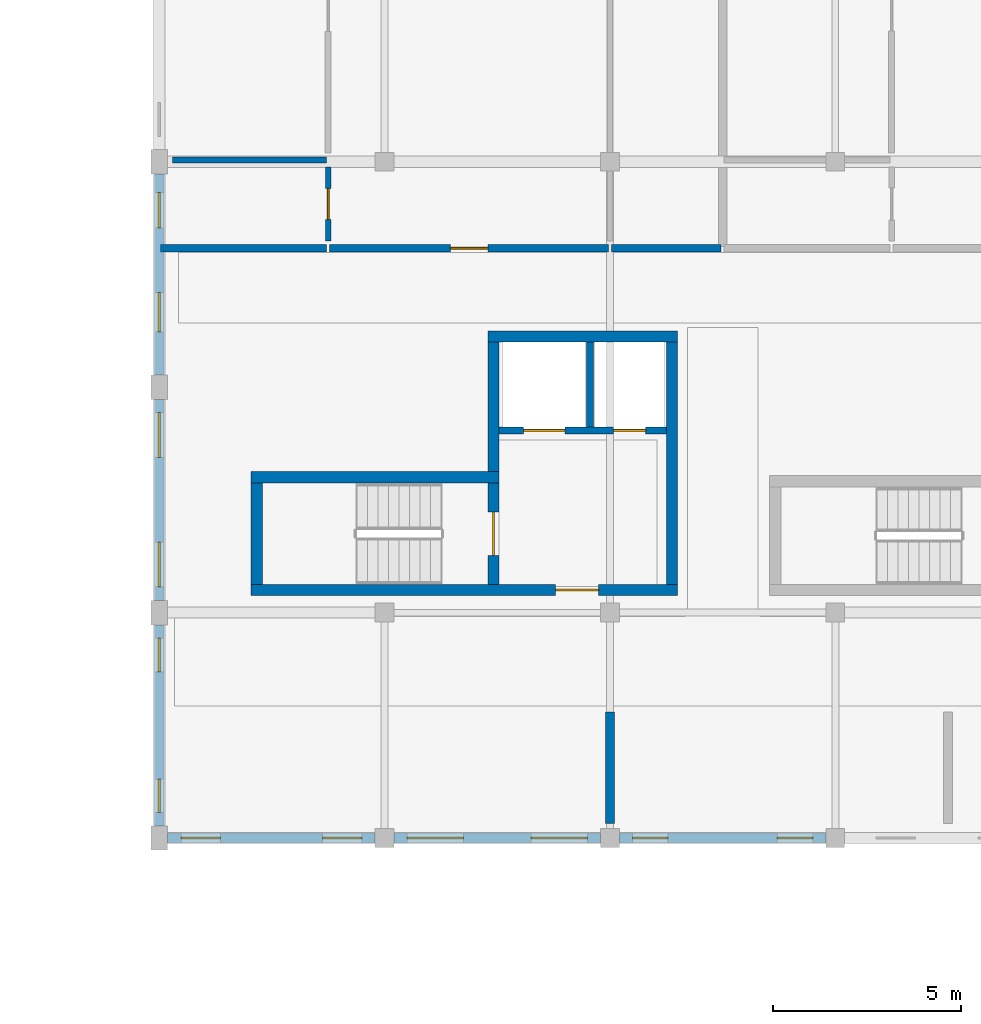
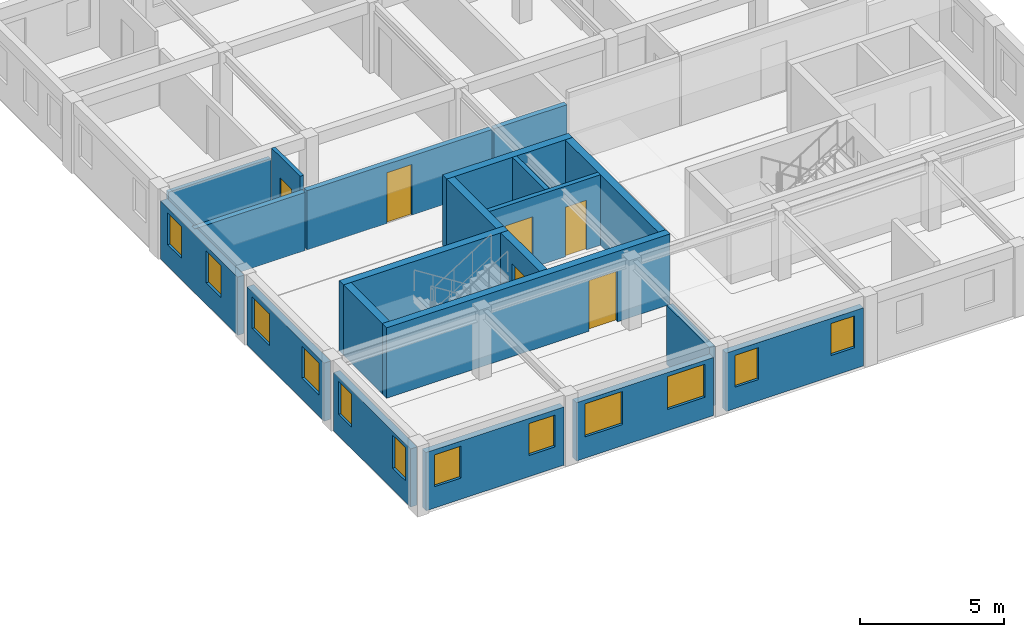
# One storey, part 9 of 17: 21 walls, 12 windows, 6 doors, 18 openings.
"""IFC4 building model written with IfcOpenShell, lengths in metres."""

from ifc_helpers import new_model, si_unit, direction, frame, frame_2d, origin, place, context, subcontext, project, spatial, rectangle, extrude, material, layer, layer_set, type_object, element, fill, save


model = new_model("IFC4")

# Units and contexts
model_context = context("Model", 3, precision=1e-05, world=origin(), true_north=direction((0.0, 1.0)))
body_context = subcontext(model_context, "Body", "Model", "MODEL_VIEW")
ifc_project = project(units=[si_unit("LENGTHUNIT", "METRE"), si_unit("AREAUNIT", "SQUARE_METRE"), si_unit("VOLUMEUNIT", "CUBIC_METRE"), si_unit("PLANEANGLEUNIT", "RADIAN"), si_unit("MASSUNIT", "GRAM", prefix="KILO"), si_unit("POWERUNIT", "WATT"), si_unit("THERMODYNAMICTEMPERATUREUNIT", "KELVIN")], contexts=[model_context])

# Site, building, storey
site_placement = place(None, origin())
site = spatial("IfcSite", under=ifc_project, at=site_placement, CompositionType="ELEMENT")
building_placement = place(site_placement, origin())
building = spatial("IfcBuilding", under=site, at=building_placement, Name="Ruvembo Vaulted Housing Court", CompositionType="ELEMENT")
storey_placement = place(building_placement, frame((0.0, 0.0, 30.10009765625)))
storey = spatial("IfcBuildingStorey", under=building, at=storey_placement, Name="L09", CompositionType="ELEMENT", Elevation=30.10009765625)

# Wall, opening, door
ifc_material_1 = material(Name="Concrete C35/45", Category="concrete")
ifc_layer_1 = layer(ifc_material_1, 0.300048828125, Name="Concrete C35/45")
ifc_layer_set_1 = layer_set([ifc_layer_1], Name="Concrete C35/45")
wall_type_1 = type_object("IfcWallType", Name="WL-CORE-300", PredefinedType="SHEAR", material=ifc_layer_set_1)
wall_1_placement = place(storey_placement, frame((50.449951171875, 90.60009765625, 0.0), z_axis=(0.0, 0.0, 1.0), x_axis=(1.0, 0.0, 0.0)))
wall_1 = element("IfcWall", 1, at=wall_1_placement, inside=storey, type_object=wall_type_1, Name="Core B1 L09 South Shear Wall", PredefinedType="SHEAR", context=body_context, shape_type="SweptSolid", body=[
    extrude(rectangle(XDim=11.35009765625, YDim=0.300048828125, at=frame_2d((5.675048828125, 0.0))), origin(), (0.0, 0.0, 1.0), 2.98486328125),
])
opening_1_placement = place(wall_1_placement, frame((8.10009765625, 0.0, 0.0)))
opening_1 = element("IfcOpeningElement", 2, at=opening_1_placement, cuts=wall_1, Name="Opening LD0", PredefinedType="OPENING", context=body_context, shape_type="SweptSolid", body=[
    extrude(rectangle(XDim=1.14990234375, YDim=2.14990234375, at=frame_2d((0.574951171875, 1.074951171875))), frame((0.0, 0.159912109375, 0.0), z_axis=(0.0, -1.0, 0.0), x_axis=(1.0, 0.0, 0.0)), (0.0, 0.0, 1.0), 0.320068359375),
])
ifc_material_2 = material(Name="Galvanised Painted Steel", Category="steel")
door_type_1 = type_object("IfcDoorType", Name="DR-LOB-1150x2150", OperationType="NOTDEFINED", PredefinedType="DOOR", material=ifc_material_2)
door_1_placement = place(opening_1_placement, origin())
door_1 = element("IfcDoor", 3, at=door_1_placement, inside=storey, type_object=door_type_1, Name="Core B1 L09 Lobby Fire Door", OperationType="SINGLE_SWING_LEFT", OverallHeight=2.14990234375, OverallWidth=1.14990234375, PredefinedType="DOOR", context=body_context, shape_type="SweptSolid", body=[
    extrude(rectangle(XDim=1.14990234375, YDim=2.14990234375, at=frame_2d((0.574951171875, 1.074951171875))), frame((0.0, 0.02490234375, 0.0), z_axis=(0.0, -1.0, 0.0), x_axis=(1.0, 0.0, 0.0)), (0.0, 0.0, 1.0), 0.050048828125),
])
fill(opening_1, door_1)

# Walls
wall_2_placement = place(storey_placement, frame((57.050048828125, 93.60009765625, 0.0), z_axis=(0.0, 0.0, 1.0), x_axis=(-1.0, 0.0, 0.0)))
element("IfcWall", 4, at=wall_2_placement, inside=storey, type_object=wall_type_1, Name="Core B1 L09 Stair North Shear Wall", PredefinedType="SHEAR", context=body_context, shape_type="SweptSolid", body=[
    extrude(rectangle(XDim=6.60009765625, YDim=0.300048828125, at=frame_2d((3.300048828125, 0.0))), origin(), (0.0, 0.0, 1.0), 2.98486328125),
])
wall_3_placement = place(storey_placement, frame((50.60009765625, 93.449951171875, 0.0), z_axis=(0.0, 0.0, 1.0), x_axis=(0.0, -1.0, 0.0)))
element("IfcWall", 5, at=wall_3_placement, inside=storey, type_object=wall_type_1, Name="Core B1 L09 Stair West Shear Wall", PredefinedType="SHEAR", context=body_context, shape_type="SweptSolid", body=[
    extrude(rectangle(XDim=2.699951171875, YDim=0.300048828125, at=frame_2d((1.35009765625, 0.0))), origin(), (0.0, 0.0, 1.0), 2.98486328125),
])

# Wall, opening, door
wall_4_placement = place(storey_placement, frame((56.89990234375, 90.75, 0.0), z_axis=(0.0, 0.0, 1.0), x_axis=(0.0, 1.0, 0.0)))
wall_4 = element("IfcWall", 6, at=wall_4_placement, inside=storey, type_object=wall_type_1, Name="Core B1 L09 Stair-Lobby Shear Wall", PredefinedType="SHEAR", context=body_context, shape_type="SweptSolid", body=[
    extrude(rectangle(XDim=2.699951171875, YDim=0.300048828125, at=frame_2d((1.35009765625, 0.0))), origin(), (0.0, 0.0, 1.0), 2.98486328125),
])
opening_2_placement = place(wall_4_placement, frame((0.77490234375, 0.0, 0.0)))
opening_2 = element("IfcOpeningElement", 7, at=opening_2_placement, cuts=wall_4, Name="Opening SD1", PredefinedType="OPENING", context=body_context, shape_type="SweptSolid", body=[
    extrude(rectangle(XDim=1.14990234375, YDim=2.14990234375, at=frame_2d((0.574951171875, 1.074951171875))), frame((0.0, 0.159912109375, 0.0), z_axis=(0.0, -1.0, 0.0), x_axis=(1.0, 0.0, 0.0)), (0.0, 0.0, 1.0), 0.320068359375),
])
door_type_2 = type_object("IfcDoorType", Name="DR-STAIR-1150x2150", OperationType="NOTDEFINED", PredefinedType="DOOR", material=ifc_material_2)
door_2_placement = place(opening_2_placement, origin())
door_2 = element("IfcDoor", 8, at=door_2_placement, inside=storey, type_object=door_type_2, Name="Stair ST-B1 L09 Fire Door", OperationType="SINGLE_SWING_RIGHT", OverallHeight=2.14990234375, OverallWidth=1.14990234375, PredefinedType="DOOR", context=body_context, shape_type="SweptSolid", body=[
    extrude(rectangle(XDim=1.14990234375, YDim=2.14990234375, at=frame_2d((0.574951171875, 1.074951171875))), frame((0.0, 0.02490234375, 0.0), z_axis=(0.0, -1.0, 0.0), x_axis=(1.0, 0.0, 0.0)), (0.0, 0.0, 1.0), 0.050048828125),
])
fill(opening_2, door_2)

# Walls
wall_5_placement = place(storey_placement, frame((61.800048828125, 97.35009765625, 0.0), z_axis=(0.0, 0.0, 1.0), x_axis=(-1.0, 0.0, 0.0)))
element("IfcWall", 9, at=wall_5_placement, inside=storey, type_object=wall_type_1, Name="Core B1 L09 North Shear Wall", PredefinedType="SHEAR", context=body_context, shape_type="SweptSolid", body=[
    extrude(rectangle(XDim=5.050048828125, YDim=0.300048828125, at=frame_2d((2.52490234375, 0.0))), origin(), (0.0, 0.0, 1.0), 2.98486328125),
])
wall_6_placement = place(storey_placement, frame((61.64990234375, 90.75, 0.0), z_axis=(0.0, 0.0, 1.0), x_axis=(0.0, 1.0, 0.0)))
element("IfcWall", 10, at=wall_6_placement, inside=storey, type_object=wall_type_1, Name="Core B1 L09 East Shear Wall", PredefinedType="SHEAR", context=body_context, shape_type="SweptSolid", body=[
    extrude(rectangle(XDim=6.449951171875, YDim=0.300048828125, at=frame_2d((3.22509765625, 0.0))), origin(), (0.0, 0.0, 1.0), 2.98486328125),
])
wall_7_placement = place(storey_placement, frame((56.89990234375, 93.75, 0.0), z_axis=(0.0, 0.0, 1.0), x_axis=(0.0, 1.0, 0.0)))
element("IfcWall", 11, at=wall_7_placement, inside=storey, type_object=wall_type_1, Name="Core B1 L09 Upper West Shear Wall", PredefinedType="SHEAR", context=body_context, shape_type="SweptSolid", body=[
    extrude(rectangle(XDim=3.449951171875, YDim=0.300048828125, at=frame_2d((1.72509765625, 0.0))), origin(), (0.0, 0.0, 1.0), 2.98486328125),
])
ifc_material_3 = material(Name="Concrete Blockwork 200", Category="masonry")
ifc_layer_2 = layer(ifc_material_3, 0.199951171875, Name="Concrete Blockwork 200")
ifc_layer_set_2 = layer_set([ifc_layer_2], Name="Concrete Blockwork 200")
wall_type_2 = type_object("IfcWallType", Name="WL-CORR-200", PredefinedType="SOLIDWALL", material=ifc_layer_set_2)
wall_8_placement = place(storey_placement, frame((48.0400390625, 99.699951171875, 0.0), z_axis=(0.0, 0.0, 1.0), x_axis=(1.0, 0.0, 0.0)))
element("IfcWall", 12, at=wall_8_placement, inside=storey, type_object=wall_type_2, Name="L09 Flat B-L09-N1 Corridor Wall WL-INT-L09-02181", PredefinedType="SOLIDWALL", context=body_context, shape_type="SweptSolid", body=[
    extrude(rectangle(XDim=4.419921875, YDim=0.199951171875, at=frame_2d((2.2099609375, 0.0))), origin(), (0.0, 0.0, 1.0), 2.466796875),
])

# Wall, opening, door
wall_9_placement = place(storey_placement, frame((52.5400390625, 99.699951171875, 0.0), z_axis=(0.0, 0.0, 1.0), x_axis=(1.0, 0.0, 0.0)))
wall_9 = element("IfcWall", 13, at=wall_9_placement, inside=storey, type_object=wall_type_2, Name="L09 Flat B-L09-N1 Entrance WL-INT-L09-02182", PredefinedType="SOLIDWALL", context=body_context, shape_type="SweptSolid", body=[
    extrude(rectangle(XDim=7.419921875, YDim=0.199951171875, at=frame_2d((3.7099609375, 0.0))), origin(), (0.0, 0.0, 1.0), 2.5078125),
])
opening_3_placement = place(wall_9_placement, frame((3.2099609375, 0.0, 0.0)))
opening_3 = element("IfcOpeningElement", 14, at=opening_3_placement, cuts=wall_9, Name="Opening FD1", PredefinedType="OPENING", context=body_context, shape_type="SweptSolid", body=[
    extrude(rectangle(XDim=1.0, YDim=2.14990234375, at=frame_2d((0.5, 1.074951171875))), frame((0.0, 0.10986328125, 0.0), z_axis=(0.0, -1.0, 0.0), x_axis=(1.0, 0.0, 0.0)), (0.0, 0.0, 1.0), 0.219970703125),
])
ifc_material_4 = material(Name="FSC Hardwood and Engineered Timber", Category="wood")
door_type_3 = type_object("IfcDoorType", Name="DR-FLAT-1000x2150", OperationType="NOTDEFINED", PredefinedType="DOOR", material=ifc_material_4)
door_3_placement = place(opening_3_placement, origin())
door_3 = element("IfcDoor", 15, at=door_3_placement, inside=storey, type_object=door_type_3, Name="L09 Flat B-L09-N1 Entrance Door DR-INT-L09-01212", OperationType="SINGLE_SWING_RIGHT", OverallHeight=2.14990234375, OverallWidth=1.0, PredefinedType="DOOR", context=body_context, shape_type="SweptSolid", body=[
    extrude(rectangle(XDim=1.0, YDim=2.14990234375, at=frame_2d((0.5, 1.074951171875))), frame((0.0, 0.02490234375, 0.0), z_axis=(0.0, -1.0, 0.0), x_axis=(1.0, 0.0, 0.0)), (0.0, 0.0, 1.0), 0.050048828125),
])
fill(opening_3, door_3)

# Walls
wall_10_placement = place(storey_placement, frame((60.0400390625, 99.699951171875, 0.0), z_axis=(0.0, 0.0, 1.0), x_axis=(1.0, 0.0, 0.0)))
element("IfcWall", 16, at=wall_10_placement, inside=storey, type_object=wall_type_2, Name="L09 Flat B-L09-N1 Corridor Wall 2 WL-INT-L09-02188", PredefinedType="SOLIDWALL", context=body_context, shape_type="SweptSolid", body=[
    extrude(rectangle(XDim=2.919921875, YDim=0.199951171875, at=frame_2d((1.4599609375, 0.0))), origin(), (0.0, 0.0, 1.0), 2.5078125),
])
ifc_material_5 = material(Name="Acoustic Masonry Demising 230", Category="masonry")
ifc_layer_3 = layer(ifc_material_5, 0.22998046875, Name="Acoustic Masonry Demising 230")
ifc_layer_set_3 = layer_set([ifc_layer_3], Name="Acoustic Masonry Demising 230")
wall_type_3 = type_object("IfcWallType", Name="WL-DEM-230", PredefinedType="SOLIDWALL", material=ifc_layer_set_3)
wall_11_placement = place(storey_placement, frame((60.0, 84.389892578125, 0.0), z_axis=(0.0, 0.0, 1.0), x_axis=(0.0, 1.0, 0.0)))
element("IfcWall", 17, at=wall_11_placement, inside=storey, type_object=wall_type_3, Name="L09 Demising B-L09-S1 WL-INT-L09-02178", PredefinedType="SOLIDWALL", context=body_context, shape_type="SweptSolid", body=[
    extrude(rectangle(XDim=2.97021484375, YDim=0.22998046875, at=frame_2d((1.485107421875, 0.0))), origin(), (0.0, 0.0, 1.0), 2.5078125),
])

# Wall, openings, windows
ifc_material_6 = material(Name="Rendered Masonry 260", Category="masonry")
ifc_layer_4 = layer(ifc_material_6, 0.260009765625, Name="Rendered Masonry 260")
ifc_layer_set_4 = layer_set([ifc_layer_4], Name="Rendered Masonry 260")
wall_type_4 = type_object("IfcWallType", Name="WL-EXT-260", PredefinedType="STANDARD", material=ifc_layer_set_4)
wall_12_placement = place(storey_placement, frame((48.22509765625, 84.0, 0.0), z_axis=(0.0, 0.0, 1.0), x_axis=(1.0, 0.0, 0.0)))
wall_12 = element("IfcWall", 18, at=wall_12_placement, inside=storey, type_object=wall_type_4, Name="Block B L09 Exterior Wall COURTYARD #1", PredefinedType="STANDARD", context=body_context, shape_type="SweptSolid", body=[
    extrude(rectangle(XDim=5.52490234375, YDim=0.260009765625, at=frame_2d((2.762451171875, 0.0))), origin(), (0.0, 0.0, 1.0), 2.466796875),
])
opening_4_placement = place(wall_12_placement, frame((0.35009765625, 0.0, 0.89990234375)))
opening_4 = element("IfcOpeningElement", 19, at=opening_4_placement, cuts=wall_12, Name="Opening W09", PredefinedType="OPENING", context=body_context, shape_type="SweptSolid", body=[
    extrude(rectangle(XDim=1.050048828125, YDim=1.35009765625, at=frame_2d((0.52490234375, 0.675048828125))), frame((0.0, 0.139892578125, 0.0), z_axis=(0.0, -1.0, 0.0), x_axis=(1.0, 0.0, 0.0)), (0.0, 0.0, 1.0), 0.280029296875),
])
opening_5_placement = place(wall_12_placement, frame((4.125, 0.0, 0.89990234375)))
opening_5 = element("IfcOpeningElement", 20, at=opening_5_placement, cuts=wall_12, Name="Opening W09", PredefinedType="OPENING", context=body_context, shape_type="SweptSolid", body=[
    extrude(rectangle(XDim=1.050048828125, YDim=1.35009765625, at=frame_2d((0.52490234375, 0.675048828125))), frame((0.0, 0.139892578125, 0.0), z_axis=(0.0, -1.0, 0.0), x_axis=(1.0, 0.0, 0.0)), (0.0, 0.0, 1.0), 0.280029296875),
])
ifc_material_7 = material(Name="Double Solar-Control Glazing in Aluminium Frame", Category="aluminium")
window_type_1 = type_object("IfcWindowType", Name="WIN-1050x1350", PartitioningType="SINGLE_PANEL", PredefinedType="WINDOW", material=ifc_material_7)
window_1_placement = place(opening_4_placement, origin())
window_1 = element("IfcWindow", 21, at=window_1_placement, inside=storey, type_object=window_type_1, Name="Block B L09 Window #987", OverallHeight=1.35009765625, OverallWidth=1.050048828125, PartitioningType="SINGLE_PANEL", PredefinedType="WINDOW", context=body_context, shape_type="SweptSolid", body=[
    extrude(rectangle(XDim=1.050048828125, YDim=1.35009765625, at=frame_2d((0.52490234375, 0.675048828125))), frame((0.0, 0.030029296875, 0.0), z_axis=(0.0, -1.0, 0.0), x_axis=(1.0, 0.0, 0.0)), (0.0, 0.0, 1.0), 0.06005859375),
])
fill(opening_4, window_1)
window_2_placement = place(opening_5_placement, origin())
window_2 = element("IfcWindow", 22, at=window_2_placement, inside=storey, type_object=window_type_1, Name="Block B L09 Window #988", OverallHeight=1.35009765625, OverallWidth=1.050048828125, PartitioningType="SINGLE_PANEL", PredefinedType="WINDOW", context=body_context, shape_type="SweptSolid", body=[
    extrude(rectangle(XDim=1.050048828125, YDim=1.35009765625, at=frame_2d((0.52490234375, 0.675048828125))), frame((0.0, 0.030029296875, 0.0), z_axis=(0.0, -1.0, 0.0), x_axis=(1.0, 0.0, 0.0)), (0.0, 0.0, 1.0), 0.06005859375),
])
fill(opening_5, window_2)

wall_13_placement = place(storey_placement, frame((54.25, 84.0, 0.0), z_axis=(0.0, 0.0, 1.0), x_axis=(1.0, 0.0, 0.0)))
wall_13 = element("IfcWall", 23, at=wall_13_placement, inside=storey, type_object=wall_type_4, Name="Block B L09 Exterior Wall COURTYARD #2", PredefinedType="STANDARD", context=body_context, shape_type="SweptSolid", body=[
    extrude(rectangle(XDim=5.5, YDim=0.260009765625, at=frame_2d((2.75, 0.0))), origin(), (0.0, 0.0, 1.0), 2.466796875),
])
opening_6_placement = place(wall_13_placement, frame((0.35009765625, 0.0, 0.89990234375)))
opening_6 = element("IfcOpeningElement", 24, at=opening_6_placement, cuts=wall_13, Name="Opening W18", PredefinedType="OPENING", context=body_context, shape_type="SweptSolid", body=[
    extrude(rectangle(XDim=1.5, YDim=1.39990234375, at=frame_2d((0.75, 0.699951171875))), frame((0.0, 0.139892578125, 0.0), z_axis=(0.0, -1.0, 0.0), x_axis=(1.0, 0.0, 0.0)), (0.0, 0.0, 1.0), 0.280029296875),
])
opening_7_placement = place(wall_13_placement, frame((3.64990234375, 0.0, 0.89990234375)))
opening_7 = element("IfcOpeningElement", 25, at=opening_7_placement, cuts=wall_13, Name="Opening W18", PredefinedType="OPENING", context=body_context, shape_type="SweptSolid", body=[
    extrude(rectangle(XDim=1.5, YDim=1.39990234375, at=frame_2d((0.75, 0.699951171875))), frame((0.0, 0.139892578125, 0.0), z_axis=(0.0, -1.0, 0.0), x_axis=(1.0, 0.0, 0.0)), (0.0, 0.0, 1.0), 0.280029296875),
])
window_type_2 = type_object("IfcWindowType", Name="WIN-1500x1400", PartitioningType="SINGLE_PANEL", PredefinedType="WINDOW", material=ifc_material_7)
window_3_placement = place(opening_6_placement, origin())
window_3 = element("IfcWindow", 26, at=window_3_placement, inside=storey, type_object=window_type_2, Name="Block B L09 Window #989", OverallHeight=1.39990234375, OverallWidth=1.5, PartitioningType="SINGLE_PANEL", PredefinedType="WINDOW", context=body_context, shape_type="SweptSolid", body=[
    extrude(rectangle(XDim=1.5, YDim=1.39990234375, at=frame_2d((0.75, 0.699951171875))), frame((0.0, 0.030029296875, 0.0), z_axis=(0.0, -1.0, 0.0), x_axis=(1.0, 0.0, 0.0)), (0.0, 0.0, 1.0), 0.06005859375),
])
fill(opening_6, window_3)
window_4_placement = place(opening_7_placement, origin())
window_4 = element("IfcWindow", 27, at=window_4_placement, inside=storey, type_object=window_type_2, Name="Block B L09 Window #990", OverallHeight=1.39990234375, OverallWidth=1.5, PartitioningType="SINGLE_PANEL", PredefinedType="WINDOW", context=body_context, shape_type="SweptSolid", body=[
    extrude(rectangle(XDim=1.5, YDim=1.39990234375, at=frame_2d((0.75, 0.699951171875))), frame((0.0, 0.030029296875, 0.0), z_axis=(0.0, -1.0, 0.0), x_axis=(1.0, 0.0, 0.0)), (0.0, 0.0, 1.0), 0.06005859375),
])
fill(opening_7, window_4)

wall_14_placement = place(storey_placement, frame((60.25, 84.0, 0.0), z_axis=(0.0, 0.0, 1.0), x_axis=(1.0, 0.0, 0.0)))
wall_14 = element("IfcWall", 28, at=wall_14_placement, inside=storey, type_object=wall_type_4, Name="Block B L09 Exterior Wall COURTYARD #3", PredefinedType="STANDARD", context=body_context, shape_type="SweptSolid", body=[
    extrude(rectangle(XDim=5.5, YDim=0.260009765625, at=frame_2d((2.75, 0.0))), origin(), (0.0, 0.0, 1.0), 2.466796875),
])
opening_8_placement = place(wall_14_placement, frame((0.35009765625, 0.0, 0.89990234375)))
opening_8 = element("IfcOpeningElement", 29, at=opening_8_placement, cuts=wall_14, Name="Opening W07", PredefinedType="OPENING", context=body_context, shape_type="SweptSolid", body=[
    extrude(rectangle(XDim=0.949951171875, YDim=1.35009765625, at=frame_2d((0.47509765625, 0.675048828125))), frame((0.0, 0.139892578125, 0.0), z_axis=(0.0, -1.0, 0.0), x_axis=(1.0, 0.0, 0.0)), (0.0, 0.0, 1.0), 0.280029296875),
])
opening_9_placement = place(wall_14_placement, frame((4.199951171875, 0.0, 0.89990234375)))
opening_9 = element("IfcOpeningElement", 30, at=opening_9_placement, cuts=wall_14, Name="Opening W07", PredefinedType="OPENING", context=body_context, shape_type="SweptSolid", body=[
    extrude(rectangle(XDim=0.949951171875, YDim=1.35009765625, at=frame_2d((0.47509765625, 0.675048828125))), frame((0.0, 0.139892578125, 0.0), z_axis=(0.0, -1.0, 0.0), x_axis=(1.0, 0.0, 0.0)), (0.0, 0.0, 1.0), 0.280029296875),
])
window_type_3 = type_object("IfcWindowType", Name="WIN-0950x1350", PartitioningType="SINGLE_PANEL", PredefinedType="WINDOW", material=ifc_material_7)
window_5_placement = place(opening_8_placement, origin())
window_5 = element("IfcWindow", 31, at=window_5_placement, inside=storey, type_object=window_type_3, Name="Block B L09 Window #991", OverallHeight=1.35009765625, OverallWidth=0.949951171875, PartitioningType="SINGLE_PANEL", PredefinedType="WINDOW", context=body_context, shape_type="SweptSolid", body=[
    extrude(rectangle(XDim=0.949951171875, YDim=1.35009765625, at=frame_2d((0.47509765625, 0.675048828125))), frame((0.0, 0.030029296875, 0.0), z_axis=(0.0, -1.0, 0.0), x_axis=(1.0, 0.0, 0.0)), (0.0, 0.0, 1.0), 0.06005859375),
])
fill(opening_8, window_5)
window_6_placement = place(opening_9_placement, origin())
window_6 = element("IfcWindow", 32, at=window_6_placement, inside=storey, type_object=window_type_3, Name="Block B L09 Window #992", OverallHeight=1.35009765625, OverallWidth=0.949951171875, PartitioningType="SINGLE_PANEL", PredefinedType="WINDOW", context=body_context, shape_type="SweptSolid", body=[
    extrude(rectangle(XDim=0.949951171875, YDim=1.35009765625, at=frame_2d((0.47509765625, 0.675048828125))), frame((0.0, 0.030029296875, 0.0), z_axis=(0.0, -1.0, 0.0), x_axis=(1.0, 0.0, 0.0)), (0.0, 0.0, 1.0), 0.06005859375),
])
fill(opening_9, window_6)

wall_15_placement = place(storey_placement, frame((48.0, 101.675048828125, 0.0), z_axis=(0.0, 0.0, 1.0), x_axis=(0.0, -1.0, 0.0)))
wall_15 = element("IfcWall", 33, at=wall_15_placement, inside=storey, type_object=wall_type_4, Name="Block B L09 Exterior Wall WEST #3", PredefinedType="STANDARD", context=body_context, shape_type="SweptSolid", body=[
    extrude(rectangle(XDim=5.35009765625, YDim=0.260009765625, at=frame_2d((2.675048828125, 0.0))), origin(), (0.0, 0.0, 1.0), 2.466796875),
])
opening_10_placement = place(wall_15_placement, frame((0.492431640625, 0.0, 0.89990234375)))
opening_10 = element("IfcOpeningElement", 34, at=opening_10_placement, cuts=wall_15, Name="Opening W07", PredefinedType="OPENING", context=body_context, shape_type="SweptSolid", body=[
    extrude(rectangle(XDim=0.949951171875, YDim=1.35009765625, at=frame_2d((0.47509765625, 0.675048828125))), frame((0.0, 0.139892578125, 0.0), z_axis=(0.0, -1.0, 0.0), x_axis=(1.0, 0.0, 0.0)), (0.0, 0.0, 1.0), 0.280029296875),
])
opening_11_placement = place(wall_15_placement, frame((3.157470703125, 0.0, 0.89990234375)))
opening_11 = element("IfcOpeningElement", 35, at=opening_11_placement, cuts=wall_15, Name="Opening W09", PredefinedType="OPENING", context=body_context, shape_type="SweptSolid", body=[
    extrude(rectangle(XDim=1.050048828125, YDim=1.35009765625, at=frame_2d((0.52490234375, 0.675048828125))), frame((0.0, 0.139892578125, 0.0), z_axis=(0.0, -1.0, 0.0), x_axis=(1.0, 0.0, 0.0)), (0.0, 0.0, 1.0), 0.280029296875),
])
window_7_placement = place(opening_10_placement, origin())
window_7 = element("IfcWindow", 36, at=window_7_placement, inside=storey, type_object=window_type_3, Name="Block B L09 Window #1022", OverallHeight=1.35009765625, OverallWidth=0.949951171875, PartitioningType="SINGLE_PANEL", PredefinedType="WINDOW", context=body_context, shape_type="SweptSolid", body=[
    extrude(rectangle(XDim=0.949951171875, YDim=1.35009765625, at=frame_2d((0.47509765625, 0.675048828125))), frame((0.0, 0.030029296875, 0.0), z_axis=(0.0, -1.0, 0.0), x_axis=(1.0, 0.0, 0.0)), (0.0, 0.0, 1.0), 0.06005859375),
])
fill(opening_10, window_7)
window_8_placement = place(opening_11_placement, origin())
window_8 = element("IfcWindow", 37, at=window_8_placement, inside=storey, type_object=window_type_1, Name="Block B L09 Window #1023", OverallHeight=1.35009765625, OverallWidth=1.050048828125, PartitioningType="SINGLE_PANEL", PredefinedType="WINDOW", context=body_context, shape_type="SweptSolid", body=[
    extrude(rectangle(XDim=1.050048828125, YDim=1.35009765625, at=frame_2d((0.52490234375, 0.675048828125))), frame((0.0, 0.030029296875, 0.0), z_axis=(0.0, -1.0, 0.0), x_axis=(1.0, 0.0, 0.0)), (0.0, 0.0, 1.0), 0.06005859375),
])
fill(opening_11, window_8)

wall_16_placement = place(storey_placement, frame((48.0, 95.675048828125, 0.0), z_axis=(0.0, 0.0, 1.0), x_axis=(0.0, -1.0, 0.0)))
wall_16 = element("IfcWall", 38, at=wall_16_placement, inside=storey, type_object=wall_type_4, Name="Block B L09 Exterior Wall WEST #4", PredefinedType="STANDARD", context=body_context, shape_type="SweptSolid", body=[
    extrude(rectangle(XDim=5.35009765625, YDim=0.260009765625, at=frame_2d((2.675048828125, 0.0))), origin(), (0.0, 0.0, 1.0), 2.466796875),
])
opening_12_placement = place(wall_16_placement, frame((0.35009765625, 0.0, 0.89990234375)))
opening_12 = element("IfcOpeningElement", 39, at=opening_12_placement, cuts=wall_16, Name="Opening W12", PredefinedType="OPENING", context=body_context, shape_type="SweptSolid", body=[
    extrude(rectangle(XDim=1.199951171875, YDim=1.35009765625, at=frame_2d((0.60009765625, 0.675048828125))), frame((0.0, 0.139892578125, 0.0), z_axis=(0.0, -1.0, 0.0), x_axis=(1.0, 0.0, 0.0)), (0.0, 0.0, 1.0), 0.280029296875),
])
opening_13_placement = place(wall_16_placement, frame((3.800048828125, 0.0, 0.89990234375)))
opening_13 = element("IfcOpeningElement", 40, at=opening_13_placement, cuts=wall_16, Name="Opening W12", PredefinedType="OPENING", context=body_context, shape_type="SweptSolid", body=[
    extrude(rectangle(XDim=1.199951171875, YDim=1.35009765625, at=frame_2d((0.60009765625, 0.675048828125))), frame((0.0, 0.139892578125, 0.0), z_axis=(0.0, -1.0, 0.0), x_axis=(1.0, 0.0, 0.0)), (0.0, 0.0, 1.0), 0.280029296875),
])
window_type_4 = type_object("IfcWindowType", Name="WIN-1200x1350", PartitioningType="SINGLE_PANEL", PredefinedType="WINDOW", material=ifc_material_7)
window_9_placement = place(opening_12_placement, origin())
window_9 = element("IfcWindow", 41, at=window_9_placement, inside=storey, type_object=window_type_4, Name="Block B L09 Window #1024", OverallHeight=1.35009765625, OverallWidth=1.199951171875, PartitioningType="SINGLE_PANEL", PredefinedType="WINDOW", context=body_context, shape_type="SweptSolid", body=[
    extrude(rectangle(XDim=1.199951171875, YDim=1.35009765625, at=frame_2d((0.60009765625, 0.675048828125))), frame((0.0, 0.030029296875, 0.0), z_axis=(0.0, -1.0, 0.0), x_axis=(1.0, 0.0, 0.0)), (0.0, 0.0, 1.0), 0.06005859375),
])
fill(opening_12, window_9)
window_10_placement = place(opening_13_placement, origin())
window_10 = element("IfcWindow", 42, at=window_10_placement, inside=storey, type_object=window_type_4, Name="Block B L09 Window #1025", OverallHeight=1.35009765625, OverallWidth=1.199951171875, PartitioningType="SINGLE_PANEL", PredefinedType="WINDOW", context=body_context, shape_type="SweptSolid", body=[
    extrude(rectangle(XDim=1.199951171875, YDim=1.35009765625, at=frame_2d((0.60009765625, 0.675048828125))), frame((0.0, 0.030029296875, 0.0), z_axis=(0.0, -1.0, 0.0), x_axis=(1.0, 0.0, 0.0)), (0.0, 0.0, 1.0), 0.06005859375),
])
fill(opening_13, window_10)

wall_17_placement = place(storey_placement, frame((48.0, 89.675048828125, 0.0), z_axis=(0.0, 0.0, 1.0), x_axis=(0.0, -1.0, 0.0)))
wall_17 = element("IfcWall", 43, at=wall_17_placement, inside=storey, type_object=wall_type_4, Name="Block B L09 Exterior Wall WEST #5", PredefinedType="STANDARD", context=body_context, shape_type="SweptSolid", body=[
    extrude(rectangle(XDim=5.35009765625, YDim=0.260009765625, at=frame_2d((2.675048828125, 0.0))), origin(), (0.0, 0.0, 1.0), 2.466796875),
])
opening_14_placement = place(wall_17_placement, frame((0.35009765625, 0.0, 0.89990234375)))
opening_14 = element("IfcOpeningElement", 44, at=opening_14_placement, cuts=wall_17, Name="Opening W05", PredefinedType="OPENING", context=body_context, shape_type="SweptSolid", body=[
    extrude(rectangle(XDim=0.89990234375, YDim=1.39990234375, at=frame_2d((0.449951171875, 0.699951171875))), frame((0.0, 0.139892578125, 0.0), z_axis=(0.0, -1.0, 0.0), x_axis=(1.0, 0.0, 0.0)), (0.0, 0.0, 1.0), 0.280029296875),
])
opening_15_placement = place(wall_17_placement, frame((4.10009765625, 0.0, 0.89990234375)))
opening_15 = element("IfcOpeningElement", 45, at=opening_15_placement, cuts=wall_17, Name="Opening W05", PredefinedType="OPENING", context=body_context, shape_type="SweptSolid", body=[
    extrude(rectangle(XDim=0.89990234375, YDim=1.39990234375, at=frame_2d((0.449951171875, 0.699951171875))), frame((0.0, 0.139892578125, 0.0), z_axis=(0.0, -1.0, 0.0), x_axis=(1.0, 0.0, 0.0)), (0.0, 0.0, 1.0), 0.280029296875),
])
window_type_5 = type_object("IfcWindowType", Name="WIN-0900x1400", PartitioningType="SINGLE_PANEL", PredefinedType="WINDOW", material=ifc_material_7)
window_11_placement = place(opening_14_placement, origin())
window_11 = element("IfcWindow", 46, at=window_11_placement, inside=storey, type_object=window_type_5, Name="Block B L09 Window #1026", OverallHeight=1.39990234375, OverallWidth=0.89990234375, PartitioningType="SINGLE_PANEL", PredefinedType="WINDOW", context=body_context, shape_type="SweptSolid", body=[
    extrude(rectangle(XDim=0.89990234375, YDim=1.39990234375, at=frame_2d((0.449951171875, 0.699951171875))), frame((0.0, 0.030029296875, 0.0), z_axis=(0.0, -1.0, 0.0), x_axis=(1.0, 0.0, 0.0)), (0.0, 0.0, 1.0), 0.06005859375),
])
fill(opening_14, window_11)
window_12_placement = place(opening_15_placement, origin())
window_12 = element("IfcWindow", 47, at=window_12_placement, inside=storey, type_object=window_type_5, Name="Block B L09 Window #1027", OverallHeight=1.39990234375, OverallWidth=0.89990234375, PartitioningType="SINGLE_PANEL", PredefinedType="WINDOW", context=body_context, shape_type="SweptSolid", body=[
    extrude(rectangle(XDim=0.89990234375, YDim=1.39990234375, at=frame_2d((0.449951171875, 0.699951171875))), frame((0.0, 0.030029296875, 0.0), z_axis=(0.0, -1.0, 0.0), x_axis=(1.0, 0.0, 0.0)), (0.0, 0.0, 1.0), 0.06005859375),
])
fill(opening_15, window_12)

# Wall, opening, door
ifc_material_8 = material(Name="Moisture-Resistant Wet Partition 150", Category="gypsum")
ifc_layer_5 = layer(ifc_material_8, 0.14990234375, Name="Moisture-Resistant Wet Partition 150")
ifc_layer_set_5 = layer_set([ifc_layer_5], Name="Moisture-Resistant Wet Partition 150")
wall_type_5 = type_object("IfcWallType", Name="WL-PART-150", PredefinedType="PARTITIONING", material=ifc_layer_set_5)
wall_18_placement = place(storey_placement, frame((52.5, 99.889892578125, 0.0), z_axis=(0.0, 0.0, 1.0), x_axis=(0.0, 1.0, 0.0)))
wall_18 = element("IfcWall", 48, at=wall_18_placement, inside=storey, type_object=wall_type_5, Name="L09 Flat B-L09-N1 Bathroom WL-INT-L09-02185", PredefinedType="PARTITIONING", context=body_context, shape_type="SweptSolid", body=[
    extrude(rectangle(XDim=1.97021484375, YDim=0.14990234375, at=frame_2d((0.985107421875, 0.0))), origin(), (0.0, 0.0, 1.0), 2.98486328125),
])
opening_16_placement = place(wall_18_placement, frame((0.574951171875, 0.0, 0.0)))
opening_16 = element("IfcOpeningElement", 49, at=opening_16_placement, cuts=wall_18, Name="Opening ID4", PredefinedType="OPENING", context=body_context, shape_type="SweptSolid", body=[
    extrude(rectangle(XDim=0.820068359375, YDim=2.080078125, at=frame_2d((0.41015625, 1.0400390625))), frame((0.0, 0.0849609375, 0.0), z_axis=(0.0, -1.0, 0.0), x_axis=(1.0, 0.0, 0.0)), (0.0, 0.0, 1.0), 0.169921875),
])
door_type_4 = type_object("IfcDoorType", Name="DR-WET-0820x2080", OperationType="NOTDEFINED", PredefinedType="DOOR", material=ifc_material_4)
door_4_placement = place(opening_16_placement, origin())
door_4 = element("IfcDoor", 50, at=door_4_placement, inside=storey, type_object=door_type_4, Name="L09 Flat B-L09-N1 Bathroom Door DR-INT-L09-01215", OperationType="SINGLE_SWING_LEFT", OverallHeight=2.080078125, OverallWidth=0.820068359375, PredefinedType="DOOR", context=body_context, shape_type="SweptSolid", body=[
    extrude(rectangle(XDim=0.820068359375, YDim=2.080078125, at=frame_2d((0.41015625, 1.0400390625))), frame((0.0, 0.02490234375, 0.0), z_axis=(0.0, -1.0, 0.0), x_axis=(1.0, 0.0, 0.0)), (0.0, 0.0, 1.0), 0.050048828125),
])
fill(opening_16, door_4)

# Wall
wall_19_placement = place(storey_placement, frame((48.360107421875, 102.050048828125, 0.0), z_axis=(0.0, 0.0, 1.0), x_axis=(1.0, 0.0, 0.0)))
element("IfcWall", 51, at=wall_19_placement, inside=storey, type_object=wall_type_5, Name="L09 Flat B-L09-N1 Wet Wall 2 WL-INT-L09-02187", PredefinedType="PARTITIONING", context=body_context, shape_type="SweptSolid", body=[
    extrude(rectangle(XDim=4.099853515625, YDim=0.14990234375, at=frame_2d((2.0498046875, 0.0))), origin(), (0.0, 0.0, 1.0), 2.466796875),
])

# Wall, openings, doors
ifc_material_9 = material(Name="Fire-Rated Masonry Shaft 180", Category="masonry")
ifc_layer_6 = layer(ifc_material_9, 0.179931640625, Name="Fire-Rated Masonry Shaft 180")
ifc_layer_set_6 = layer_set([ifc_layer_6], Name="Fire-Rated Masonry Shaft 180")
wall_type_6 = type_object("IfcWallType", Name="WL-SHAFT-180", PredefinedType="SOLIDWALL", material=ifc_layer_set_6)
wall_20_placement = place(storey_placement, frame((57.050048828125, 94.85009765625, 0.0), z_axis=(0.0, 0.0, 1.0), x_axis=(1.0, 0.0, 0.0)))
wall_20 = element("IfcWall", 52, at=wall_20_placement, inside=storey, type_object=wall_type_6, Name="Core B1 L09 Lift and Riser Front Wall", PredefinedType="SOLIDWALL", context=body_context, shape_type="SweptSolid", body=[
    extrude(rectangle(XDim=4.449951171875, YDim=0.179931640625, at=frame_2d((2.22509765625, 0.0))), origin(), (0.0, 0.0, 1.0), 2.98486328125),
])
opening_17_placement = place(wall_20_placement, frame((0.64990234375, 0.0, 0.0)))
opening_17 = element("IfcOpeningElement", 53, at=opening_17_placement, cuts=wall_20, Name="Opening LD-LP-B1-L09", PredefinedType="OPENING", context=body_context, shape_type="SweptSolid", body=[
    extrude(rectangle(XDim=1.10009765625, YDim=2.14990234375, at=frame_2d((0.550048828125, 1.074951171875))), frame((0.0, 0.099853515625, 0.0), z_axis=(0.0, -1.0, 0.0), x_axis=(1.0, 0.0, 0.0)), (0.0, 0.0, 1.0), 0.199951171875),
])
opening_18_placement = place(wall_20_placement, frame((3.050048828125, 0.0, 0.0)))
opening_18 = element("IfcOpeningElement", 54, at=opening_18_placement, cuts=wall_20, Name="Opening RD1", PredefinedType="OPENING", context=body_context, shape_type="SweptSolid", body=[
    extrude(rectangle(XDim=0.85009765625, YDim=2.10009765625, at=frame_2d((0.425048828125, 1.050048828125))), frame((0.0, 0.099853515625, 0.0), z_axis=(0.0, -1.0, 0.0), x_axis=(1.0, 0.0, 0.0)), (0.0, 0.0, 1.0), 0.199951171875),
])
ifc_material_10 = material(Name="Brushed Stainless Steel 304", Category="steel")
door_type_5 = type_object("IfcDoorType", Name="DR-LIFT-1100x2150", OperationType="NOTDEFINED", PredefinedType="DOOR", material=ifc_material_10)
door_5_placement = place(opening_17_placement, origin())
door_5 = element("IfcDoor", 55, at=door_5_placement, inside=storey, type_object=door_type_5, Name="Lift LP-B1 L09 Sliding Landing Door", OperationType="SLIDING_TO_LEFT", OverallHeight=2.14990234375, OverallWidth=1.10009765625, PredefinedType="DOOR", context=body_context, shape_type="SweptSolid", body=[
    extrude(rectangle(XDim=1.10009765625, YDim=2.14990234375, at=frame_2d((0.550048828125, 1.074951171875))), frame((0.0, 0.02490234375, 0.0), z_axis=(0.0, -1.0, 0.0), x_axis=(1.0, 0.0, 0.0)), (0.0, 0.0, 1.0), 0.050048828125),
])
fill(opening_17, door_5)
door_type_6 = type_object("IfcDoorType", Name="DR-RISER-0850x2100", OperationType="NOTDEFINED", PredefinedType="DOOR", material=ifc_material_2)
door_6_placement = place(opening_18_placement, frame((0.85009765625, 0.0, 0.0), z_axis=(0.0, 0.0, 1.0), x_axis=(-1.0, 0.0, 0.0)))
door_6 = element("IfcDoor", 56, at=door_6_placement, inside=storey, type_object=door_type_6, Name="Core B1 L09 Service Riser Door", OperationType="SINGLE_SWING_LEFT", OverallHeight=2.10009765625, OverallWidth=0.85009765625, PredefinedType="DOOR", context=body_context, shape_type="SweptSolid", body=[
    extrude(rectangle(XDim=0.85009765625, YDim=2.10009765625, at=frame_2d((0.425048828125, 1.050048828125))), frame((0.0, 0.02490234375, 0.0), z_axis=(0.0, -1.0, 0.0), x_axis=(1.0, 0.0, 0.0)), (0.0, 0.0, 1.0), 0.050048828125),
])
fill(opening_18, door_6)

# Wall
wall_21_placement = place(storey_placement, frame((59.469970703125, 94.93994140625, 0.0), z_axis=(0.0, 0.0, 1.0), x_axis=(0.0, 1.0, 0.0)))
element("IfcWall", 57, at=wall_21_placement, inside=storey, type_object=wall_type_6, Name="Core B1 L09 Shaft-Riser Divider Wall", PredefinedType="SOLIDWALL", context=body_context, shape_type="SweptSolid", body=[
    extrude(rectangle(XDim=2.260009765625, YDim=0.179931640625, at=frame_2d((1.1298828125, 0.0))), origin(), (0.0, 0.0, 1.0), 2.98486328125),
])

save(model, "model.ifc")
